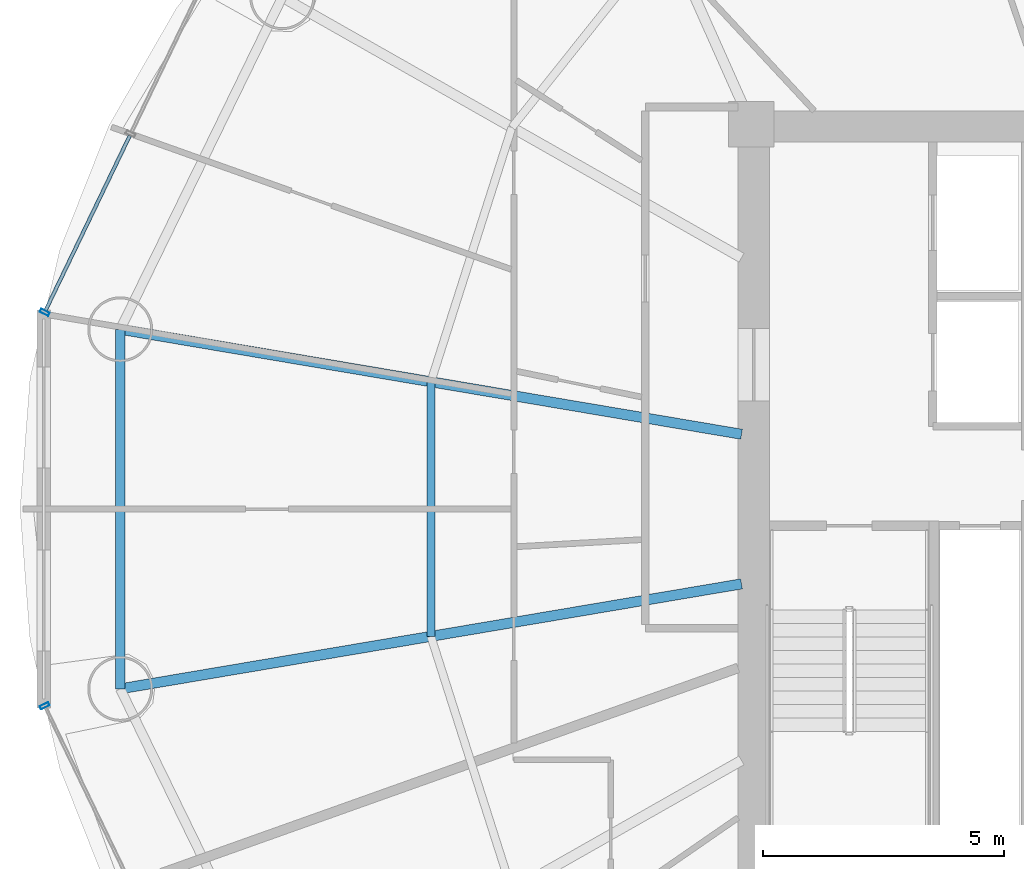
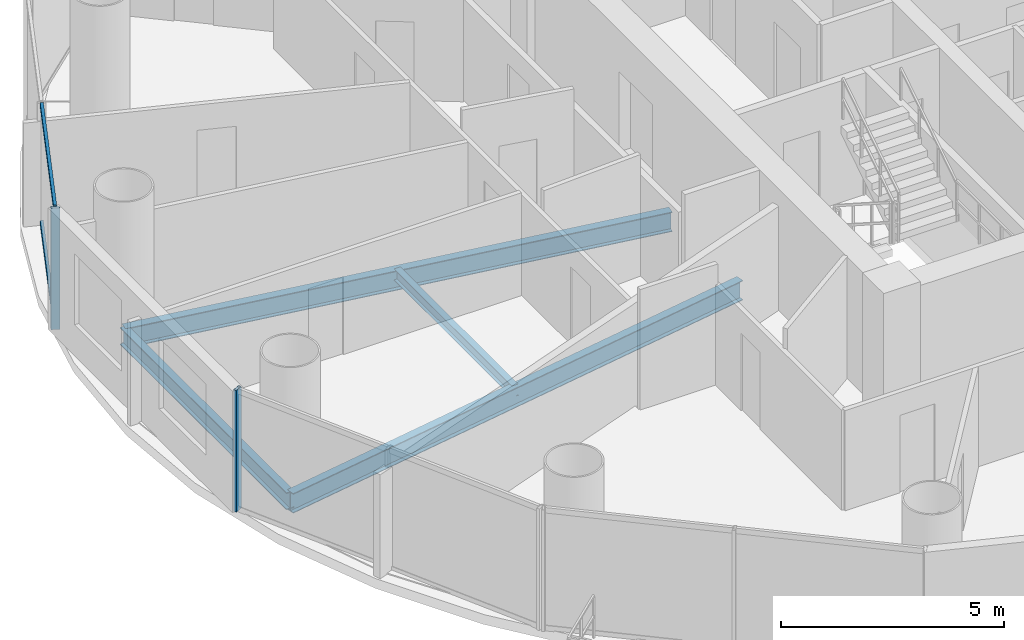
# One storey, part 6 of 27: 4 beams, 4 members, 2 elements without a shape of their own.
"""IFC4 building model written with IfcOpenShell, lengths in metres."""

from ifc_helpers import new_model, si_unit, direction, frame, origin, origin_2d, place, context, subcontext, project, spatial, hollow_rectangle, i_section, extrude, source, transform, mapped, material, material_profile, profile_set, type_object, element, aggregate, save


model = new_model("IFC4")

# Units and contexts
model_context = context("Model", 3, precision=1e-05, world=origin(), true_north=direction((-0.2419218956, 0.970295726276)))
body_context = subcontext(model_context, "Body", "Model", "MODEL_VIEW")
ifc_project = project(units=[si_unit("LENGTHUNIT", "METRE"), si_unit("AREAUNIT", "SQUARE_METRE"), si_unit("VOLUMEUNIT", "CUBIC_METRE"), si_unit("PLANEANGLEUNIT", "RADIAN"), si_unit("MASSUNIT", "GRAM", prefix="KILO")], contexts=[model_context])

# Site, building, storey
site_placement = place(None, origin())
site = spatial("IfcSite", under=ifc_project, at=site_placement, CompositionType="ELEMENT")
building_placement = place(site_placement, origin())
building = spatial("IfcBuilding", under=site, at=building_placement, Name="Cobrevalo Terracotta Tower", CompositionType="ELEMENT")
storey_placement = place(building_placement, frame((0.0, 0.0, 149.800048828125)))
storey = spatial("IfcBuildingStorey", under=building, at=storey_placement, Name="L39", CompositionType="ELEMENT", Elevation=149.800048828125)

# Beams
ifc_material_1 = material(Name="Steel S355", Category="steel")
ifc_material_profile_1 = material_profile(ifc_material_1, i_section(OverallWidth=0.2109375, OverallDepth=0.5390625, WebThickness=0.01171875, FlangeThickness=0.018798828125, at=origin_2d()), Name="W 530x109")
ifc_profile_set_1 = profile_set([ifc_material_profile_1], Name="Steel S355")
beam_type_1 = type_object("IfcBeamType", Name="Structural Beam W 530x109 (Steel S355)", PredefinedType="BEAM", material=ifc_profile_set_1)
for number, where, z_axis, x_axis, name in (
    (1, (15.88330078125, 30.535888671875, -0.53955078125), (0.986032794282, -0.166551279191, 0.0), (0.166551279191, 0.986032794282, 0.0), "L39 radial floor girder 08"),
    (2, (15.88330078125, 23.06396484375, -0.53955078125), (0.986029732232, 0.166569406417, 0.0), (-0.166569406417, 0.986029732232, 0.0), "L39 radial floor girder 09"),
):
    element("IfcBeam", number, at=place(storey_placement, frame(where, z_axis=z_axis, x_axis=x_axis)), inside=storey, type_object=beam_type_1, Name=name, PredefinedType="BEAM", context=body_context, shape_type="SweptSolid", body=[
        extrude(i_section(OverallWidth=0.2109375, OverallDepth=0.5390625, WebThickness=0.01171875, FlangeThickness=0.018798828125, at=origin_2d()), origin(), (0.0, 0.0, 1.0), 13.094482421875),
    ])
ifc_material_profile_2 = material_profile(ifc_material_1, i_section(OverallWidth=0.1650390625, OverallDepth=0.31005859375, WebThickness=0.005859375, FlangeThickness=0.009765625, at=origin_2d()), Name="W 310x38.7")
ifc_profile_set_2 = profile_set([ifc_material_profile_2], Name="Steel S355")
beam_type_2 = type_object("IfcBeamType", Name="Structural Joist W 310x38.7 (Steel S355)", PredefinedType="JOIST", material=ifc_profile_set_2)
beam_1_placement = place(storey_placement, frame((22.339111328125, 29.445556640625, -0.425048828125), z_axis=(0.0, -1.0, 0.0), x_axis=(1.0, 0.0, 0.0)))
element("IfcBeam", 3, at=beam_1_placement, inside=storey, type_object=beam_type_2, Name="L39 circumferential secondary floor joist 08", PredefinedType="JOIST", context=body_context, shape_type="SweptSolid", body=[
    extrude(i_section(OverallWidth=0.1650390625, OverallDepth=0.31005859375, WebThickness=0.005859375, FlangeThickness=0.009765625, at=origin_2d()), origin(), (0.0, 0.0, 1.0), 5.291015625),
])
ifc_material_profile_3 = material_profile(ifc_material_1, i_section(OverallWidth=0.194091796875, OverallDepth=0.468994140625, WebThickness=0.011474609375, FlangeThickness=0.0205078125, at=origin_2d()), Name="W 460x106")
ifc_profile_set_3 = profile_set([ifc_material_profile_3], Name="Steel S355")
beam_type_3 = type_object("IfcBeamType", Name="Structural Spandrel W 460x106 (Steel S355)", PredefinedType="SPANDREL", material=ifc_profile_set_3)
beam_2_placement = place(storey_placement, frame((15.88330078125, 30.535888671875, -0.504638671875), z_axis=(0.0, -1.0, 0.0), x_axis=(1.0, 0.0, 0.0)))
element("IfcBeam", 4, at=beam_2_placement, inside=storey, type_object=beam_type_3, Name="L39 perimeter ring spandrel 08", PredefinedType="SPANDREL", context=body_context, shape_type="SweptSolid", body=[
    extrude(i_section(OverallWidth=0.194091796875, OverallDepth=0.468994140625, WebThickness=0.011474609375, FlangeThickness=0.0205078125, at=origin_2d()), origin(), (0.0, 0.0, 1.0), 7.471923828125),
])

# Curtain wall, members
ifc_material_2 = material(Name="Anodized aluminium", Category="aluminium")
curtain_wall_type = type_object("IfcCurtainWallType", Name="Mid-tower high-wind unitised curtain wall CW-U2", PredefinedType="NOTDEFINED", material=ifc_material_2)
curtain_wall_1_placement = place(storey_placement, origin())
curtain_wall_1 = element("IfcCurtainWall", 5, at=curtain_wall_1_placement, inside=storey, type_object=curtain_wall_type, Name="L39 curtain wall CW-L39-S07", PredefinedType="NOTDEFINED")
ifc_material_profile_4 = material_profile(ifc_material_2, hollow_rectangle(XDim=0.074951171875, YDim=0.14990234375, WallThickness=0.00439453125, at=origin_2d()), Name="CWT 75x150")
ifc_profile_set_4 = profile_set([ifc_material_profile_4], Name="Anodized aluminium")
member_type_1 = type_object("IfcMemberType", Name="Tower unitised aluminium transom 75x150", PredefinedType="USERDEFINED", material=ifc_profile_set_4)
shared_shape_1 = source(origin(), body_context, "Body", "SweptSolid", [
    extrude(hollow_rectangle(XDim=0.074951171875, YDim=0.14990234375, WallThickness=0.00439453125, at=origin_2d()), origin(), (0.0, 0.0, 1.0), 4.035888671875),
])
member_1_placement = place(storey_placement, frame((16.08154296875, 34.5595703125, 0.050048828125), z_axis=(-0.434221176581, -0.900806288726, 0.0), x_axis=(0.900806288726, -0.434221176581, 0.0)))
member_1 = element("IfcMember", 6, at=member_1_placement, type_object=member_type_1, Name="CW-L39-S07 transom B02-T1", ObjectType="TRANSOM", PredefinedType="USERDEFINED", context=body_context, shape_type="MappedRepresentation", body=[
    mapped(shared_shape_1, transform((0.0, 0.0, 0.0), scale=1.0)),
])
member_2_placement = place(storey_placement, frame((16.08154296875, 34.5595703125, 3.280029296875), z_axis=(-0.434221176581, -0.900806288726, 0.0), x_axis=(0.900806288726, -0.434221176581, 0.0)))
member_2 = element("IfcMember", 7, at=member_2_placement, type_object=member_type_1, Name="CW-L39-S07 transom B02-T2", ObjectType="TRANSOM", PredefinedType="USERDEFINED", context=body_context, shape_type="MappedRepresentation", body=[
    mapped(shared_shape_1, transform((0.0, 0.0, 0.0), scale=1.0)),
])
ifc_material_profile_5 = material_profile(ifc_material_2, hollow_rectangle(XDim=0.074951171875, YDim=0.199951171875, WallThickness=0.0048828125, at=origin_2d()), Name="CWM 75x200")
ifc_profile_set_5 = profile_set([ifc_material_profile_5], Name="Anodized aluminium")
member_type_2 = type_object("IfcMemberType", Name="Lower/mid tower unitised mullion 75x200", PredefinedType="MULLION", material=ifc_profile_set_5)
shared_shape_2 = source(origin(), body_context, "Body", "SweptSolid", [
    extrude(hollow_rectangle(XDim=0.074951171875, YDim=0.199951171875, WallThickness=0.0048828125, at=origin_2d()), origin(), (0.0, 0.0, 1.0), 3.329833984375),
])
member_3_placement = place(storey_placement, frame((14.311767578125, 30.887939453125, 0.0), z_axis=(0.0, 0.0, 1.0), x_axis=(-0.434209440271, -0.900811945957, 0.0)))
member_3 = element("IfcMember", 8, at=member_3_placement, type_object=member_type_2, Name="CW-L39-S07 vertical mullion 03", PredefinedType="MULLION", context=body_context, shape_type="MappedRepresentation", body=[
    mapped(shared_shape_2, transform((0.0, 0.0, 0.0), scale=1.0)),
])
aggregate(curtain_wall_1, [member_3, member_1, member_2])

# Curtain wall, member
curtain_wall_2_placement = place(storey_placement, origin())
curtain_wall_2 = element("IfcCurtainWall", 9, at=curtain_wall_2_placement, inside=storey, type_object=curtain_wall_type, Name="L39 curtain wall CW-L39-S09", PredefinedType="NOTDEFINED")
member_4_placement = place(storey_placement, frame((14.311767578125, 22.7119140625, 0.0), z_axis=(0.0, 0.0, 1.0), x_axis=(0.434209440271, -0.900811945957, 0.0)))
member_4 = element("IfcMember", 10, at=member_4_placement, type_object=member_type_2, Name="CW-L39-S09 vertical mullion 01", PredefinedType="MULLION", context=body_context, shape_type="MappedRepresentation", body=[
    mapped(shared_shape_2, transform((0.0, 0.0, 0.0), scale=1.0)),
])
aggregate(curtain_wall_2, [member_4])

save(model, "model.ifc")
